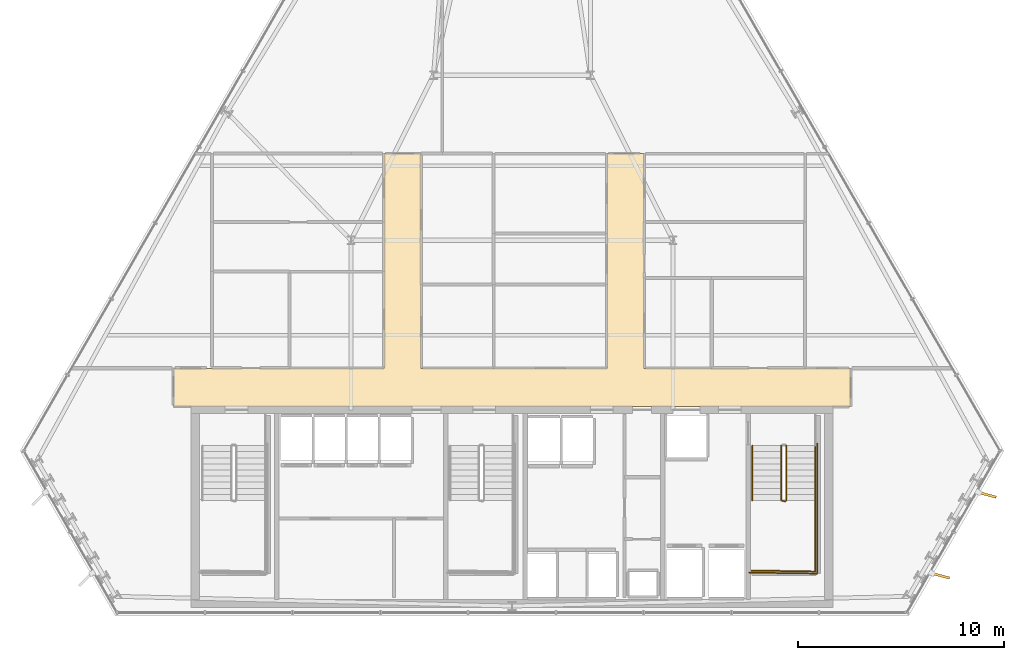
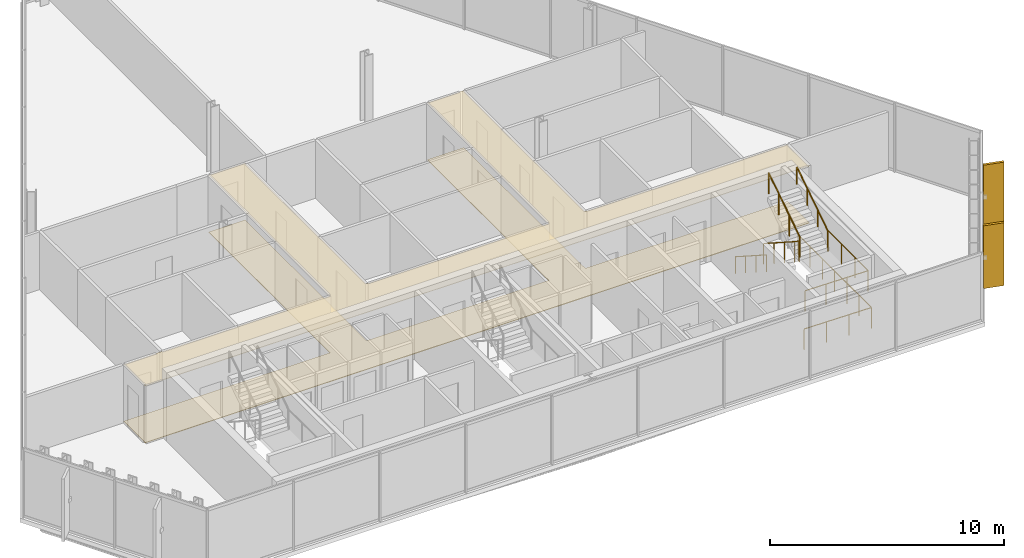
# One storey, part 32 of 34: 6 railings, 2 coverings, 2 shading devices.
"""IFC4 building model written with IfcOpenShell, lengths in metres."""

from ifc_helpers import new_model, si_unit, direction, frame, origin, origin_2d, place, context, subcontext, project, spatial, polyline, rectangle, circle, outline, extrude, material, layer, layer_set, type_object, element, save


model = new_model("IFC4")

# Units and contexts
model_context = context("Model", 3, precision=1e-05, world=origin(), true_north=direction((0.0, 1.0)))
body_context = subcontext(model_context, "Body", "Model", "MODEL_VIEW")
ifc_project = project(units=[si_unit("LENGTHUNIT", "METRE"), si_unit("AREAUNIT", "SQUARE_METRE"), si_unit("VOLUMEUNIT", "CUBIC_METRE"), si_unit("PLANEANGLEUNIT", "RADIAN"), si_unit("MASSUNIT", "GRAM", prefix="KILO")], contexts=[model_context])

# Site, building, storey
site_placement = place(None, origin())
site = spatial("IfcSite", under=ifc_project, at=site_placement, CompositionType="ELEMENT")
building_placement = place(site_placement, origin())
building = spatial("IfcBuilding", under=site, at=building_placement, Name="Ndaravel Arena Tower", CompositionType="ELEMENT")
storey_placement = place(building_placement, frame((0.0, 0.0, 195.39990234375)))
storey = spatial("IfcBuildingStorey", under=building, at=storey_placement, Name="L47", CompositionType="ELEMENT", Elevation=195.39990234375)

# Coverings
ifc_material_1 = material(Name="Acoustic Ceiling Tile", Category="finish")
ifc_layer_1 = layer(ifc_material_1, 0.02490234375)
ifc_layer_set_1 = layer_set([ifc_layer_1], Name="Acoustic Ceiling Tile")
covering_type_1 = type_object("IfcCoveringType", Name="COV-CEIL-AC600", PredefinedType="CEILING", material=ifc_layer_set_1)
covering_1_placement = place(storey_placement, frame((0.0, 0.0, 2.980712890625)))
element("IfcCovering", 1, at=covering_1_placement, inside=storey, type_object=covering_type_1, Name="L47 Corridor Acoustic Ceiling", PredefinedType="CEILING", context=body_context, shape_type="SweptSolid", body=[
    extrude(outline(polyline([(58.39990234375, 17.0), (48.39990234375, 17.0), (48.39990234375, 27.39990234375), (46.60009765625, 27.39990234375), (46.60009765625, 17.0), (37.60009765625, 17.0), (37.60009765625, 27.39990234375), (35.800048828125, 27.39990234375), (35.800048828125, 17.0), (25.60009765625, 17.0), (25.60009765625, 15.14990234375), (58.39990234375, 15.14990234375), (58.39990234375, 17.0)])), origin(), (0.0, 0.0, 1.0), 0.02490234375),
])
ifc_material_2 = material(Name="Terrazzo", Category="stone")
ifc_layer_2 = layer(ifc_material_2, 0.030029296875)
ifc_layer_set_2 = layer_set([ifc_layer_2], Name="Terrazzo")
covering_type_2 = type_object("IfcCoveringType", Name="COV-FLOOR-TERRAZZO", PredefinedType="FLOORING", material=ifc_layer_set_2)
covering_2_placement = place(storey_placement, origin())
element("IfcCovering", 2, at=covering_2_placement, inside=storey, type_object=covering_type_2, Name="L47 Corridor Terrazzo Flooring", PredefinedType="FLOORING", context=body_context, shape_type="SweptSolid", body=[
    extrude(outline(polyline([(58.39990234375, 17.0), (48.39990234375, 17.0), (48.39990234375, 27.39990234375), (46.60009765625, 27.39990234375), (46.60009765625, 17.0), (37.60009765625, 17.0), (37.60009765625, 27.39990234375), (35.800048828125, 27.39990234375), (35.800048828125, 17.0), (25.60009765625, 17.0), (25.60009765625, 15.14990234375), (58.39990234375, 15.14990234375), (58.39990234375, 17.0)])), origin(), (0.0, 0.0, 1.0), 0.030029296875),
])

# Railings
ifc_material_3 = material(Name="Steel S355", Category="steel")
ifc_layer_3 = layer(ifc_material_3, 0.06005859375)
ifc_layer_set_3 = layer_set([ifc_layer_3], Name="Steel S355")
railing_type_1 = type_object("IfcRailingType", Name="RAIL-STAIR-GD1100", PredefinedType="GUARDRAIL", material=ifc_layer_set_3)
railing_1_placement = place(storey_placement, frame((55.050048828125, 13.25, 0.190185546875)))
element("IfcRailing", 3, at=railing_1_placement, inside=storey, type_object=railing_type_1, Name="L47 ST-3 stair guard 1", PredefinedType="GUARDRAIL", context=body_context, shape_type="SweptSolid", body=[
    extrude(circle(Radius=0.02392578125, at=origin_2d()), frame((0.0, 0.0, 1.076171875), z_axis=(0.0, -0.840723540582, 0.54146461409), x_axis=(1.0, 0.0, 0.0)), (0.0, 0.0, 1.0), 3.157958984375),
    extrude(circle(Radius=0.02392578125, at=origin_2d()), frame((0.0, -2.655029296875, 2.7861328125), z_axis=(0.966993988697, -0.254799187253, 0.0), x_axis=(0.254799187253, 0.966993988697, 0.0)), (0.0, 0.0, 1.0), 0.196533203125),
    extrude(circle(Radius=0.02099609375, at=origin_2d()), origin(), (0.0, 0.0, 1.0), 1.052001953125),
    extrude(circle(Radius=0.02099609375, at=origin_2d()), frame((0.0, -0.885009765625, 0.570068359375)), (0.0, 0.0, 1.0), 1.052001953125),
    extrude(circle(Radius=0.02099609375, at=origin_2d()), frame((0.0, -1.77001953125, 1.139892578125)), (0.0, 0.0, 1.0), 1.052001953125),
    extrude(circle(Radius=0.02099609375, at=origin_2d()), frame((0.0, -2.655029296875, 1.7099609375)), (0.0, 0.0, 1.0), 1.052001953125),
    extrude(circle(Radius=0.02099609375, at=origin_2d()), frame((0.18994140625, -2.705078125, 1.7099609375)), (0.0, 0.0, 1.0), 1.052001953125),
])
railing_2_placement = place(storey_placement, frame((56.68994140625, 10.594970703125, 1.900146484375)))
element("IfcRailing", 4, at=railing_2_placement, inside=storey, type_object=railing_type_1, Name="L47 ST-3 stair guard 2", PredefinedType="GUARDRAIL", context=body_context, shape_type="SweptSolid", body=[
    extrude(circle(Radius=0.02392578125, at=origin_2d()), frame((0.0, 0.0, 1.076171875), z_axis=(0.0, -1.0, 0.0), x_axis=(1.0, 0.0, 0.0)), (0.0, 0.0, 1.0), 3.445068359375),
    extrude(circle(Radius=0.02392578125, at=origin_2d()), frame((0.0, -3.445068359375, 1.076171875), z_axis=(-0.999868840623, 0.016195726322, 0.0), x_axis=(-0.016195726322, -0.999868840623, 0.0)), (0.0, 0.0, 1.0), 3.09033203125),
    extrude(circle(Radius=0.02099609375, at=origin_2d()), origin(), (0.0, 0.0, 1.0), 1.052001953125),
    extrude(circle(Radius=0.02099609375, at=origin_2d()), frame((0.0, -1.1484375, 0.0)), (0.0, 0.0, 1.0), 1.052001953125),
    extrude(circle(Radius=0.02099609375, at=origin_2d()), frame((0.0, -2.296630859375, 0.0)), (0.0, 0.0, 1.0), 1.052001953125),
    extrude(circle(Radius=0.02099609375, at=origin_2d()), frame((0.0, -3.445068359375, 0.0)), (0.0, 0.0, 1.0), 1.052001953125),
    extrude(circle(Radius=0.02099609375, at=origin_2d()), frame((-1.030029296875, -3.428466796875, 0.0)), (0.0, 0.0, 1.0), 1.052001953125),
    extrude(circle(Radius=0.02099609375, at=origin_2d()), frame((-2.059814453125, -3.41162109375, 0.0)), (0.0, 0.0, 1.0), 1.052001953125),
    extrude(circle(Radius=0.02099609375, at=origin_2d()), frame((-3.08984375, -3.39501953125, 0.0)), (0.0, 0.0, 1.0), 1.052001953125),
])
railing_3_placement = place(storey_placement, frame((55.2900390625, 10.594970703125, 2.090087890625)))
element("IfcRailing", 5, at=railing_3_placement, inside=storey, type_object=railing_type_1, Name="L47 ST-3 stair guard 3", PredefinedType="GUARDRAIL", context=body_context, shape_type="SweptSolid", body=[
    extrude(circle(Radius=0.02392578125, at=origin_2d()), frame((0.0, 0.0, 1.076171875), z_axis=(0.0, 0.840723540582, 0.54146461409), x_axis=(-1.0, 0.0, 0.0)), (0.0, 0.0, 1.0), 3.157958984375),
    extrude(circle(Radius=0.02099609375, at=origin_2d()), origin(), (0.0, 0.0, 1.0), 1.052001953125),
    extrude(circle(Radius=0.02099609375, at=origin_2d()), frame((0.0, 0.885009765625, 0.570068359375)), (0.0, 0.0, 1.0), 1.052001953125),
    extrude(circle(Radius=0.02099609375, at=origin_2d()), frame((0.0, 1.77001953125, 1.139892578125)), (0.0, 0.0, 1.0), 1.052001953125),
    extrude(circle(Radius=0.02099609375, at=origin_2d()), frame((0.0, 2.655029296875, 1.7099609375)), (0.0, 0.0, 1.0), 1.052001953125),
])
railing_4_placement = place(storey_placement, frame((56.7900390625, 13.35009765625, 0.0)))
element("IfcRailing", 6, at=railing_4_placement, inside=storey, type_object=railing_type_1, Name="L47 ST-3 stair guard 6", PredefinedType="GUARDRAIL", context=body_context, shape_type="SweptSolid", body=[
    extrude(circle(Radius=0.02392578125, at=origin_2d()), frame((0.0, 0.0, 1.076171875), z_axis=(0.0, -1.0, 0.0), x_axis=(1.0, 0.0, 0.0)), (0.0, 0.0, 1.0), 6.300048828125),
    extrude(circle(Radius=0.02392578125, at=origin_2d()), frame((0.0, -6.300048828125, 1.076171875), z_axis=(-0.99988431412, 0.015210469308, 0.0), x_axis=(-0.015210469308, -0.99988431412, 0.0)), (0.0, 0.0, 1.0), 3.29052734375),
    extrude(circle(Radius=0.02099609375, at=origin_2d()), origin(), (0.0, 0.0, 1.0), 1.052001953125),
    extrude(circle(Radius=0.02099609375, at=origin_2d()), frame((0.0, -1.050048828125, 0.0)), (0.0, 0.0, 1.0), 1.052001953125),
    extrude(circle(Radius=0.02099609375, at=origin_2d()), frame((0.0, -2.10009765625, 0.0)), (0.0, 0.0, 1.0), 1.052001953125),
    extrude(circle(Radius=0.02099609375, at=origin_2d()), frame((0.0, -3.14990234375, 0.0)), (0.0, 0.0, 1.0), 1.052001953125),
    extrude(circle(Radius=0.02099609375, at=origin_2d()), frame((0.0, -4.199951171875, 0.0)), (0.0, 0.0, 1.0), 1.052001953125),
    extrude(circle(Radius=0.02099609375, at=origin_2d()), frame((0.0, -5.25, 0.0)), (0.0, 0.0, 1.0), 1.052001953125),
    extrude(circle(Radius=0.02099609375, at=origin_2d()), frame((0.0, -6.300048828125, 0.0)), (0.0, 0.0, 1.0), 1.052001953125),
    extrude(circle(Radius=0.02099609375, at=origin_2d()), frame((-1.0966796875, -6.283447265625, 0.0)), (0.0, 0.0, 1.0), 1.052001953125),
    extrude(circle(Radius=0.02099609375, at=origin_2d()), frame((-2.193359375, -6.2666015625, 0.0)), (0.0, 0.0, 1.0), 1.052001953125),
    extrude(circle(Radius=0.02099609375, at=origin_2d()), frame((-3.2900390625, -6.25, 0.0)), (0.0, 0.0, 1.0), 1.052001953125),
])
ifc_material_4 = material(Name="Steel S355", Category="steel")
ifc_layer_4 = layer(ifc_material_4, 0.050048828125)
ifc_layer_set_4 = layer_set([ifc_layer_4], Name="Steel S355")
railing_type_2 = type_object("IfcRailingType", Name="RAIL-STAIR-HR920", PredefinedType="HANDRAIL", material=ifc_layer_set_4)
railing_5_placement = place(storey_placement, frame((53.64990234375, 13.25, 0.190185546875)))
element("IfcRailing", 7, at=railing_5_placement, inside=storey, type_object=railing_type_2, Name="L47 ST-3 stair handrail 1", PredefinedType="HANDRAIL", context=body_context, shape_type="SweptSolid", body=[
    extrude(circle(Radius=0.02392578125, at=origin_2d()), frame((0.0, 0.0, 0.8759765625), z_axis=(0.0, -0.840723540582, 0.54146461409), x_axis=(1.0, 0.0, 0.0)), (0.0, 0.0, 1.0), 3.157958984375),
    extrude(circle(Radius=0.02099609375, at=origin_2d()), origin(), (0.0, 0.0, 1.0), 0.851806640625),
    extrude(circle(Radius=0.02099609375, at=origin_2d()), frame((0.0, -0.885009765625, 0.570068359375)), (0.0, 0.0, 1.0), 0.851806640625),
    extrude(circle(Radius=0.02099609375, at=origin_2d()), frame((0.0, -1.77001953125, 1.139892578125)), (0.0, 0.0, 1.0), 0.851806640625),
    extrude(circle(Radius=0.02099609375, at=origin_2d()), frame((0.0, -2.655029296875, 1.7099609375)), (0.0, 0.0, 1.0), 0.851806640625),
])
railing_6_placement = place(storey_placement, frame((56.68994140625, 10.594970703125, 2.090087890625)))
element("IfcRailing", 8, at=railing_6_placement, inside=storey, type_object=railing_type_2, Name="L47 ST-3 stair handrail 2", PredefinedType="HANDRAIL", context=body_context, shape_type="SweptSolid", body=[
    extrude(circle(Radius=0.02392578125, at=origin_2d()), frame((0.0, 0.0, 0.8759765625), z_axis=(0.0, 0.840723540582, 0.54146461409), x_axis=(-1.0, 0.0, 0.0)), (0.0, 0.0, 1.0), 3.157958984375),
    extrude(circle(Radius=0.02099609375, at=origin_2d()), origin(), (0.0, 0.0, 1.0), 0.851806640625),
    extrude(circle(Radius=0.02099609375, at=origin_2d()), frame((0.0, 0.885009765625, 0.570068359375)), (0.0, 0.0, 1.0), 0.851806640625),
    extrude(circle(Radius=0.02099609375, at=origin_2d()), frame((0.0, 1.77001953125, 1.139892578125)), (0.0, 0.0, 1.0), 0.851806640625),
    extrude(circle(Radius=0.02099609375, at=origin_2d()), frame((0.0, 2.655029296875, 1.7099609375)), (0.0, 0.0, 1.0), 0.851806640625),
])

# Shading devices
ifc_material_5 = material(Name="Masonry", Category="masonry")
shading_device_type = type_object("IfcShadingDeviceType", Name="SHD-MAZERAS-FIN", PredefinedType="SHUTTER", material=ifc_material_5)
for number, where, z_axis, x_axis, name in (
    (9, (62.76318359375, 6.951416015625, 0.14990234375), (0.0, 0.0, 1.0), (0.965925826289, -0.258819045103, 0.0), "L47 Mazeras Stone Solar Fin E2.1"),
    (10, (65.02490234375, 10.868408203125, 0.14990234375), (0.0, 0.0, 1.0), (0.965925826289, -0.258819045103, 0.0), "L47 Mazeras Stone Solar Fin E2.2"),
):
    element("IfcShadingDevice", number, at=place(storey_placement, frame(where, z_axis=z_axis, x_axis=x_axis)), inside=storey, type_object=shading_device_type, Name=name, PredefinedType="SHUTTER", context=body_context, shape_type="SweptSolid", body=[
        extrude(rectangle(XDim=0.89990234375, YDim=0.1201171875, at=origin_2d()), origin(), (0.0, 0.0, 1.0), 3.280029296875),
    ])

save(model, "model.ifc")
